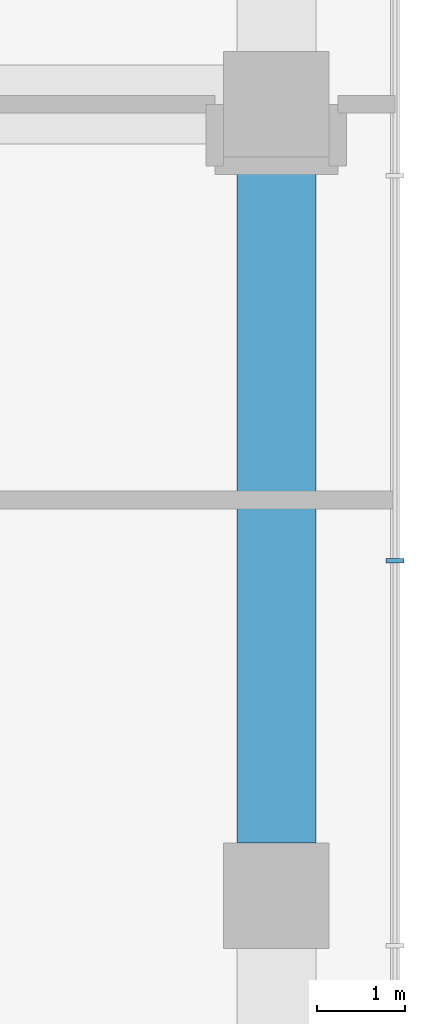
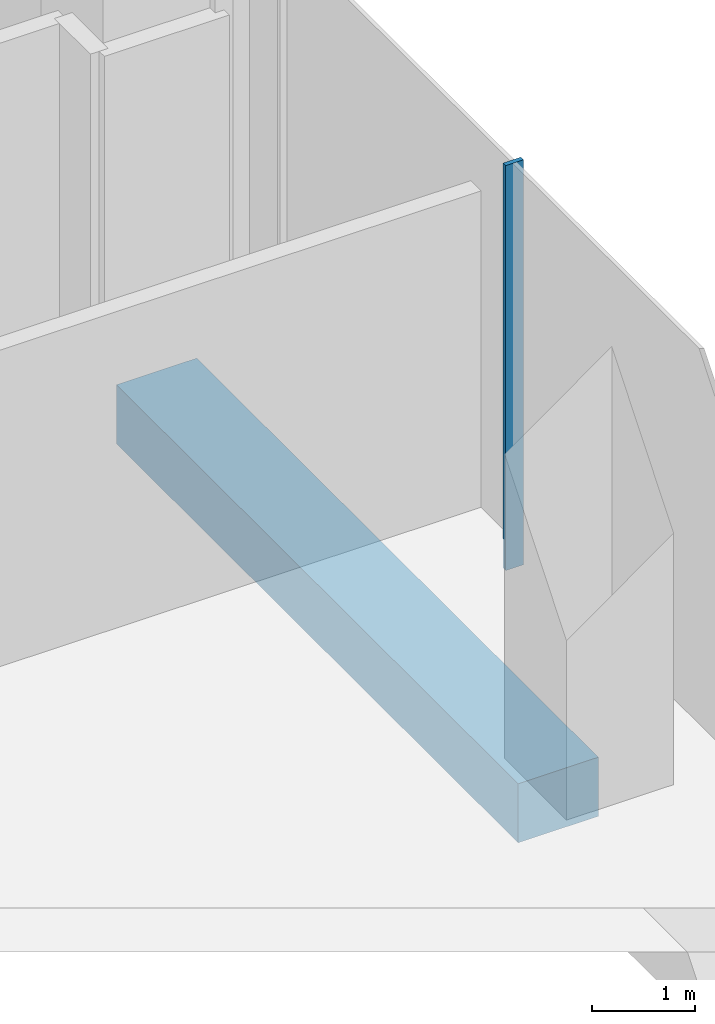
# One storey, part 18 of 42: 1 beam, 1 member, 1 element without a shape of its own.
"""IFC4 building model written with IfcOpenShell, lengths in metres."""

from ifc_helpers import new_model, si_unit, direction, frame, origin, origin_2d, place, context, subcontext, project, spatial, rectangle, extrude, material, layer, layer_set, material_profile, profile_set, type_object, element, aggregate, save


model = new_model("IFC4")

# Units and contexts
model_context = context("Model", 3, precision=1e-05, world=origin(), true_north=direction((0.0, 1.0)))
body_context = subcontext(model_context, "Body", "Model", "MODEL_VIEW")
ifc_project = project(units=[si_unit("LENGTHUNIT", "METRE"), si_unit("AREAUNIT", "SQUARE_METRE"), si_unit("VOLUMEUNIT", "CUBIC_METRE"), si_unit("PLANEANGLEUNIT", "RADIAN"), si_unit("MASSUNIT", "GRAM", prefix="KILO")], contexts=[model_context])

# Site, building, storey
site_placement = place(None, origin())
site = spatial("IfcSite", under=ifc_project, at=site_placement, CompositionType="ELEMENT")
building_placement = place(site_placement, origin())
building = spatial("IfcBuilding", under=site, at=building_placement, Name="Plateau Cross Towers", CompositionType="ELEMENT")
storey_placement = place(building_placement, frame((0.0, 0.0, 8.0)))
storey = spatial("IfcBuildingStorey", under=building, at=storey_placement, Name="L01", CompositionType="ELEMENT", Elevation=8.0)

# Curtain wall, member
ifc_material_1 = material(Name="Dark low-iron laminated glass", Category="glass")
ifc_layer = layer(ifc_material_1, 0.300048828125)
ifc_layer_set = layer_set([ifc_layer], Name="Dark low-iron laminated glass")
curtain_wall_type = type_object("IfcCurtainWallType", Name="Curtain wall structural silicone CW-C", PredefinedType="NOTDEFINED", material=ifc_layer_set)
curtain_wall_placement = place(storey_placement, origin())
curtain_wall = element("IfcCurtainWall", 1, at=curtain_wall_placement, inside=storey, type_object=curtain_wall_type, Name="ENV/P/L01/P1078_-88", PredefinedType="NOTDEFINED")
ifc_material_2 = material(Name="Black anodised aluminium", Category="aluminium")
ifc_material_profile_1 = material_profile(ifc_material_2, rectangle(XDim=0.050048828125, YDim=0.199951171875, at=origin_2d()), Name="MULLION 50x200")
ifc_profile_set_1 = profile_set([ifc_material_profile_1], Name="Black anodised aluminium")
member_type = type_object("IfcMemberType", Name="Mullion 50x200 structural silicone", PredefinedType="MULLION", material=ifc_profile_set_1)
member_placement = place(storey_placement, frame((107.85009765625, 21.81005859375, -0.35009765625), z_axis=(0.0, 0.0, 1.0), x_axis=(0.0, 1.0, 0.0)))
member = element("IfcMember", 2, at=member_placement, type_object=member_type, Name="CW-C mullion 8", PredefinedType="MULLION", context=body_context, shape_type="SweptSolid", body=[
    extrude(rectangle(XDim=0.050048828125, YDim=0.199951171875, at=origin_2d()), origin(), (0.0, 0.0, 1.0), 4.800048828125),
])
aggregate(curtain_wall, [member])

# Beam
ifc_material_3 = material(Name="Concrete C50/60", Category="concrete")
ifc_material_profile_2 = material_profile(ifc_material_3, rectangle(XDim=0.89990234375, YDim=0.699951171875, at=origin_2d()), Name="RC 900x700")
ifc_profile_set_2 = profile_set([ifc_material_profile_2], Name="Concrete C50/60")
beam_type = type_object("IfcBeamType", Name="Podium band beam RC 900x700", PredefinedType="BEAM", material=ifc_profile_set_2)
beam_placement = place(storey_placement, frame((106.5, 18.60009765625, -0.699951171875), z_axis=(0.0, 1.0, 0.0), x_axis=(-1.0, 0.0, 0.0)))
element("IfcBeam", 3, at=beam_placement, inside=storey, type_object=beam_type, Name="PB177@L01", PredefinedType="BEAM", context=body_context, shape_type="SweptSolid", body=[
    extrude(rectangle(XDim=0.89990234375, YDim=0.699951171875, at=origin_2d()), origin(), (0.0, 0.0, 1.0), 7.7998046875),
])

save(model, "model.ifc")
